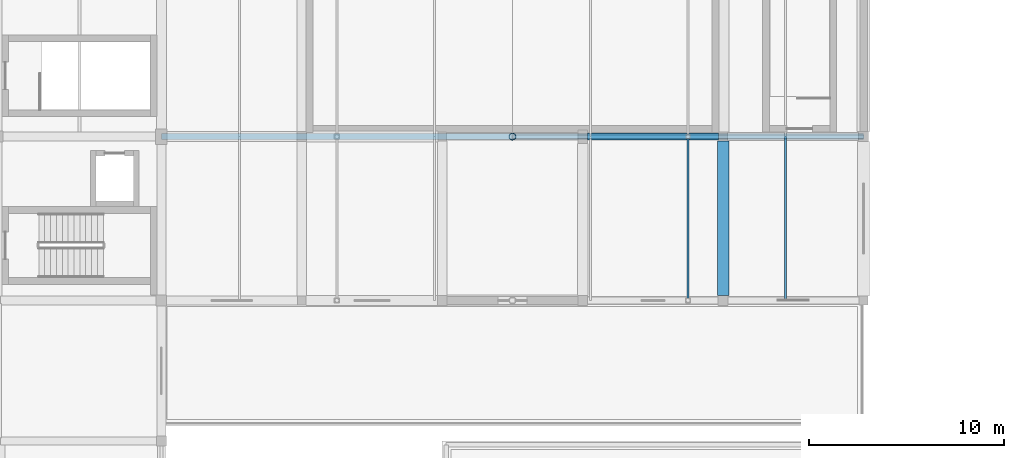
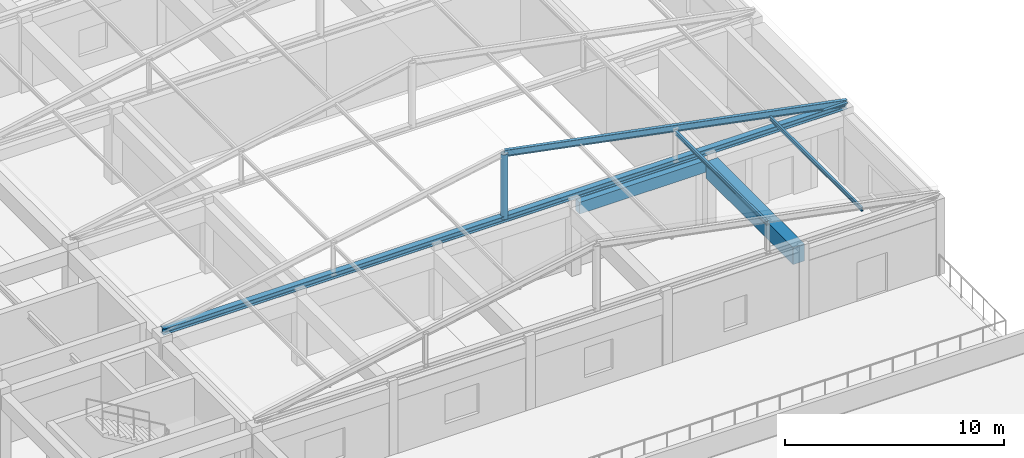
# One storey, part 39 of 74: 5 members, 2 beams.
"""IFC4 building model written with IfcOpenShell, lengths in metres."""

from ifc_helpers import new_model, si_unit, direction, frame, origin, origin_2d, place, context, subcontext, project, spatial, rectangle, hollow_circle, i_section, extrude, material, material_profile, profile_set, type_object, element, save


model = new_model("IFC4")

# Units and contexts
model_context = context("Model", 3, precision=1e-05, world=origin(), true_north=direction((0.0, 1.0)))
body_context = subcontext(model_context, "Body", "Model", "MODEL_VIEW")
ifc_project = project(units=[si_unit("LENGTHUNIT", "METRE"), si_unit("AREAUNIT", "SQUARE_METRE"), si_unit("VOLUMEUNIT", "CUBIC_METRE"), si_unit("PLANEANGLEUNIT", "RADIAN"), si_unit("MASSUNIT", "GRAM", prefix="KILO")], contexts=[model_context])

# Site, building, storey
site_placement = place(None, origin())
site = spatial("IfcSite", under=ifc_project, at=site_placement, CompositionType="ELEMENT")
building_placement = place(site_placement, origin())
building = spatial("IfcBuilding", under=site, at=building_placement, Name="Korsvaeld Concert Hall", CompositionType="ELEMENT")
storey_placement = place(building_placement, frame((0.0, 0.0, 9.0)))
storey = spatial("IfcBuildingStorey", under=building, at=storey_placement, Name="L02", CompositionType="ELEMENT", Elevation=9.0)

# Beams
ifc_material_1 = material(Name="Concrete C35/45", Category="concrete")
ifc_material_profile_1 = material_profile(ifc_material_1, rectangle(XDim=0.35009765625, YDim=0.64990234375, at=origin_2d()), Name="RC 350x650")
ifc_profile_set_1 = profile_set([ifc_material_profile_1], Name="Concrete C35/45")
beam_type_1 = type_object("IfcBeamType", Name="BM-RC-350x650", PredefinedType="T_BEAM", material=ifc_profile_set_1)
beam_1_placement = place(storey_placement, frame((139.449951171875, 51.60009765625, 3.514892578125), z_axis=(1.0, 0.0, 0.0), x_axis=(0.0, 1.0, 0.0)))
element("IfcBeam", 1, at=beam_1_placement, inside=storey, type_object=beam_type_1, Name="Primary girder 19-20/H L02", PredefinedType="T_BEAM", context=body_context, shape_type="SweptSolid", body=[
    extrude(rectangle(XDim=0.35009765625, YDim=0.64990234375, at=origin_2d()), origin(), (0.0, 0.0, 1.0), 6.72509765625),
])
ifc_material_2 = material(Name="Concrete C40/50", Category="concrete")
ifc_material_profile_2 = material_profile(ifc_material_2, rectangle(XDim=0.60009765625, YDim=0.949951171875, at=origin_2d()), Name="RC 600x950")
ifc_profile_set_2 = profile_set([ifc_material_profile_2], Name="Concrete C40/50")
beam_type_2 = type_object("IfcBeamType", Name="BM-RC-600x950", PredefinedType="T_BEAM", material=ifc_profile_set_2)
beam_2_placement = place(storey_placement, frame((146.39990234375, 43.449951171875, 3.364990234375), z_axis=(0.0, 1.0, 0.0), x_axis=(-1.0, 0.0, 0.0)))
element("IfcBeam", 2, at=beam_2_placement, inside=storey, type_object=beam_type_2, Name="Primary girder 20/G-H L02", PredefinedType="T_BEAM", context=body_context, shape_type="SweptSolid", body=[
    extrude(rectangle(XDim=0.60009765625, YDim=0.949951171875, at=origin_2d()), origin(), (0.0, 0.0, 1.0), 7.925048828125),
])

# Members
ifc_material_3 = material(Name="Steel S355J2", Category="steel")
ifc_material_profile_3 = material_profile(ifc_material_3, i_section(OverallWidth=0.300048828125, OverallDepth=0.340087890625, WebThickness=0.011962890625, FlangeThickness=0.021484375, FilletRadius=0.027099609375, at=origin_2d()), Name="HEB 340")
ifc_profile_set_3 = profile_set([ifc_material_profile_3], Name="Steel S355J2")
member_type_1 = type_object("IfcMemberType", Name="MEM-CHD-HEB340", PredefinedType="CHORD", material=ifc_profile_set_3)
member_1_placement = place(storey_placement, frame((117.60009765625, 51.60009765625, 4.25), z_axis=(1.0, 0.0, 0.0), x_axis=(0.0, 1.0, 0.0)))
element("IfcMember", 3, at=member_1_placement, inside=storey, type_object=member_type_1, Name="Chamber Hall truss bottom chord 2", PredefinedType="CHORD", context=body_context, shape_type="SweptSolid", body=[
    extrude(i_section(OverallWidth=0.300048828125, OverallDepth=0.340087890625, WebThickness=0.011962890625, FlangeThickness=0.021484375, FilletRadius=0.027099609375, at=origin_2d()), origin(), (0.0, 0.0, 1.0), 36.0),
])
ifc_material_profile_4 = material_profile(ifc_material_3, i_section(OverallWidth=0.110107421875, OverallDepth=0.219970703125, WebThickness=0.005859375, FlangeThickness=0.00927734375, FilletRadius=0.011962890625, at=origin_2d()), Name="IPE 220")
ifc_profile_set_4 = profile_set([ifc_material_profile_4], Name="Steel S355J2")
member_type_2 = type_object("IfcMemberType", Name="MEM-PUR-IPE220", PredefinedType="PURLIN", material=ifc_profile_set_4)
for number, where, z_axis, x_axis, name in (
    (4, (144.60009765625, 43.199951171875, 5.8798828125), (0.0, 1.0, 0.0), (-1.0, 0.0, 0.0), "Chamber Hall roof purlin 144.1"),
    (5, (149.60009765625, 43.199951171875, 4.89990234375), (0.0, 1.0, 0.0), (-1.0, 0.0, 0.0), "Chamber Hall roof purlin 149.1"),
):
    element("IfcMember", number, at=place(storey_placement, frame(where, z_axis=z_axis, x_axis=x_axis)), inside=storey, type_object=member_type_2, Name=name, PredefinedType="PURLIN", context=body_context, shape_type="SweptSolid", body=[
        extrude(i_section(OverallWidth=0.110107421875, OverallDepth=0.219970703125, WebThickness=0.005859375, FlangeThickness=0.00927734375, FilletRadius=0.011962890625, at=origin_2d()), origin(), (0.0, 0.0, 1.0), 8.400146484375),
    ])
ifc_material_profile_5 = material_profile(ifc_material_3, i_section(OverallWidth=0.169921875, OverallDepth=0.360107421875, WebThickness=0.008056640625, FlangeThickness=0.0126953125, FilletRadius=0.01806640625, at=origin_2d()), Name="IPE 360")
ifc_profile_set_5 = profile_set([ifc_material_profile_5], Name="Steel S355J2")
member_type_3 = type_object("IfcMemberType", Name="MEM-RAF-IPE360", PredefinedType="RAFTER", material=ifc_profile_set_5)
member_2_placement = place(storey_placement, frame((153.60009765625, 51.60009765625, 4.35009765625), z_axis=(-0.981615389669, 0.0, 0.190869659102), x_axis=(0.0, -1.0, 0.0)))
element("IfcMember", 6, at=member_2_placement, inside=storey, type_object=member_type_3, Name="Chamber Hall east pitched rafter 2", PredefinedType="RAFTER", context=body_context, shape_type="SweptSolid", body=[
    extrude(i_section(OverallWidth=0.169921875, OverallDepth=0.360107421875, WebThickness=0.008056640625, FlangeThickness=0.0126953125, FilletRadius=0.01806640625, at=origin_2d()), origin(), (0.0, 0.0, 1.0), 18.337158203125),
])
ifc_material_profile_6 = material_profile(ifc_material_3, hollow_circle(Radius=0.177734375, WallThickness=0.01611328125, at=origin_2d()), Name="CHS 355.6x16")
ifc_profile_set_6 = profile_set([ifc_material_profile_6], Name="Steel S355J2")
member_type_4 = type_object("IfcMemberType", Name="MEM-STR-CHS355", PredefinedType="STRUT", material=ifc_profile_set_6)
member_3_placement = place(storey_placement, frame((135.60009765625, 51.60009765625, 4.25), z_axis=(0.0, 0.0, 1.0), x_axis=(1.0, 0.0, 0.0)))
element("IfcMember", 7, at=member_3_placement, inside=storey, type_object=member_type_4, Name="Chamber Hall truss web 2.135", PredefinedType="STRUT", context=body_context, shape_type="SweptSolid", body=[
    extrude(hollow_circle(Radius=0.177734375, WallThickness=0.01611328125, at=origin_2d()), origin(), (0.0, 0.0, 1.0), 3.60009765625),
])

save(model, "model.ifc")
